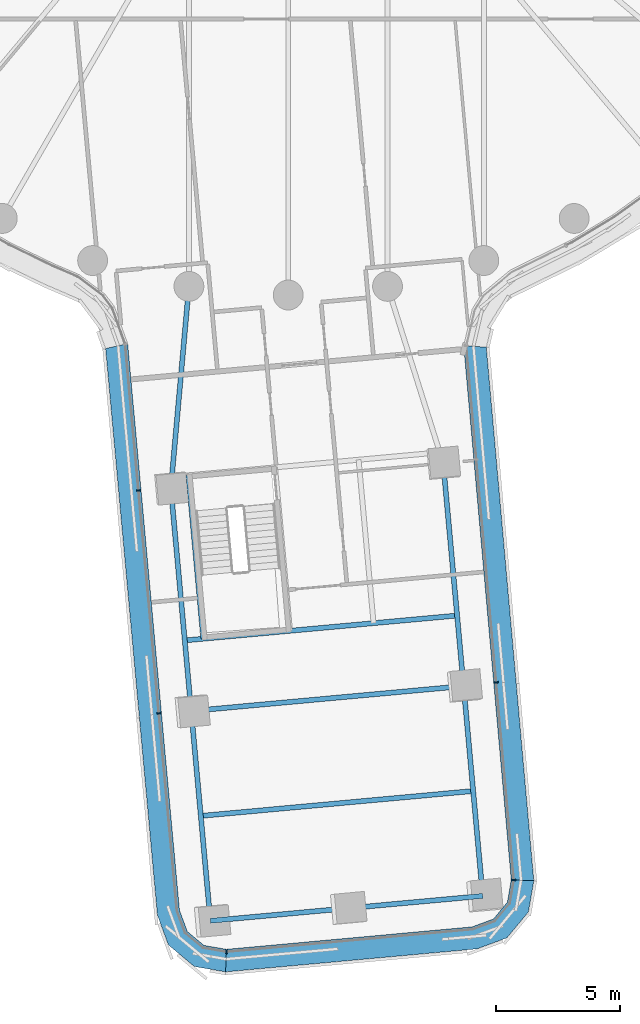
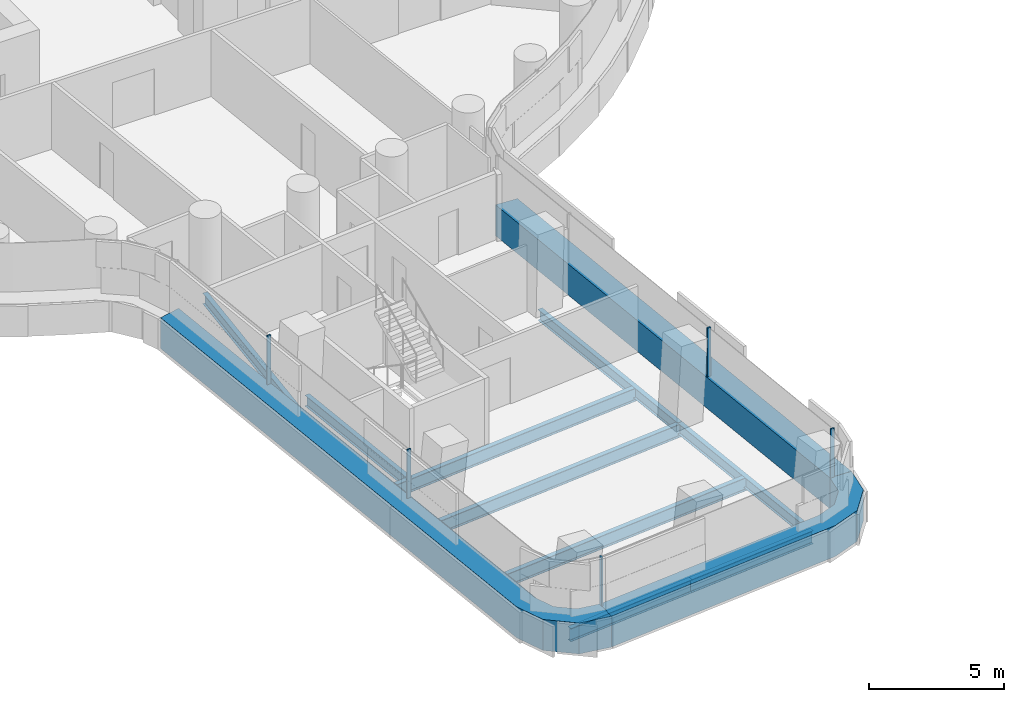
# One storey, part 2 of 31: 11 beams, 8 members, 3 elements without a shape of their own.
"""IFC4 building model written with IfcOpenShell, lengths in metres."""

from ifc_helpers import new_model, si_unit, direction, frame, origin, origin_2d, place, context, subcontext, project, spatial, polyline, rectangle, i_section, outline, extrude, material, layer, layer_set, material_profile, profile_set, type_object, element, aggregate, save


model = new_model("IFC4")

# Units and contexts
model_context = context("Model", 3, precision=1e-05, world=origin(), true_north=direction((0.0, 1.0)))
body_context = subcontext(model_context, "Body", "Model", "MODEL_VIEW")
ifc_project = project(units=[si_unit("LENGTHUNIT", "METRE"), si_unit("AREAUNIT", "SQUARE_METRE"), si_unit("VOLUMEUNIT", "CUBIC_METRE"), si_unit("PLANEANGLEUNIT", "RADIAN"), si_unit("MASSUNIT", "GRAM", prefix="KILO")], contexts=[model_context])

# Site, building, storey
site_placement = place(None, origin())
site = spatial("IfcSite", under=ifc_project, at=site_placement, CompositionType="ELEMENT")
building_placement = place(site_placement, origin())
building = spatial("IfcBuilding", under=site, at=building_placement, Name="Tamarind Cross Interchange Tower", CompositionType="ELEMENT")
storey_placement = place(building_placement, frame((0.0, 0.0, 52.75)))
storey = spatial("IfcBuildingStorey", under=building, at=storey_placement, Name="L11", CompositionType="ELEMENT", Elevation=52.75)

# Beams
ifc_material_1 = material(Name="Steel Q355B", Category="steel")
ifc_material_profile_1 = material_profile(ifc_material_1, i_section(OverallWidth=0.198974609375, OverallDepth=0.49609375, WebThickness=0.009033203125, FlangeThickness=0.013916015625, FilletRadius=0.012939453125, at=origin_2d()), Name="HN 496x199x9x14")
ifc_profile_set_1 = profile_set([ifc_material_profile_1], Name="Steel Q355B")
beam_type_1 = type_object("IfcBeamType", Name="Composite beam HN 496x199x9x14 Q355B", PredefinedType="BEAM", material=ifc_profile_set_1)
beam_1_placement = place(storey_placement, frame((-3.13037109375, -48.16796875, -0.387939453125), z_axis=(-0.091068244839, 0.995844653941, 0.0), x_axis=(-0.995844653941, -0.091068244839, 0.0)))
element("IfcBeam", 1, at=beam_1_placement, inside=storey, type_object=beam_type_1, Name="Beam S-edgeem5", PredefinedType="BEAM", context=body_context, shape_type="SweptSolid", body=[
    extrude(i_section(OverallWidth=0.198974609375, OverallDepth=0.49609375, WebThickness=0.009033203125, FlangeThickness=0.013916015625, FilletRadius=0.012939453125, at=origin_2d()), origin(), (0.0, 0.0, 1.0), 8.47412109375),
])
beam_2_placement = place(storey_placement, frame((-3.902099609375, -39.72900390625, -0.387939453125), z_axis=(-0.091037133423, 0.995847498535, 0.0), x_axis=(-0.995847498535, -0.091037133423, 0.0)))
element("IfcBeam", 2, at=beam_2_placement, inside=storey, type_object=beam_type_1, Name="Beam S-edgeem6", PredefinedType="BEAM", context=body_context, shape_type="SweptSolid", body=[
    extrude(i_section(OverallWidth=0.198974609375, OverallDepth=0.49609375, WebThickness=0.009033203125, FlangeThickness=0.013916015625, FilletRadius=0.012939453125, at=origin_2d()), origin(), (0.0, 0.0, 1.0), 9.0),
])
beam_3_placement = place(storey_placement, frame((7.823974609375, -47.166259765625, -0.387939453125), z_axis=(-0.091068244839, 0.995844653941, 0.0), x_axis=(-0.995844653941, -0.091068244839, 0.0)))
element("IfcBeam", 3, at=beam_3_placement, inside=storey, type_object=beam_type_1, Name="Beam S-edgeep2", PredefinedType="BEAM", context=body_context, shape_type="SweptSolid", body=[
    extrude(i_section(OverallWidth=0.198974609375, OverallDepth=0.49609375, WebThickness=0.009033203125, FlangeThickness=0.013916015625, FilletRadius=0.012939453125, at=origin_2d()), origin(), (0.0, 0.0, 1.0), 8.47412109375),
])
beam_4_placement = place(storey_placement, frame((7.05224609375, -38.727294921875, -0.387939453125), z_axis=(-0.091037133423, 0.995847498535, 0.0), x_axis=(-0.995847498535, -0.091037133423, 0.0)))
element("IfcBeam", 4, at=beam_4_placement, inside=storey, type_object=beam_type_1, Name="Beam S-edgeep3", PredefinedType="BEAM", context=body_context, shape_type="SweptSolid", body=[
    extrude(i_section(OverallWidth=0.198974609375, OverallDepth=0.49609375, WebThickness=0.009033203125, FlangeThickness=0.013916015625, FilletRadius=0.012939453125, at=origin_2d()), origin(), (0.0, 0.0, 1.0), 9.0),
])
beam_5_placement = place(storey_placement, frame((-4.721435546875, -30.766357421875, -0.387939453125), z_axis=(0.089287574347, 0.996005888069, 0.0), x_axis=(-0.996005888069, 0.089287574347, 0.0)))
element("IfcBeam", 5, at=beam_5_placement, inside=storey, type_object=beam_type_1, Name="Beam S-linkem", PredefinedType="BEAM", context=body_context, shape_type="SweptSolid", body=[
    extrude(i_section(OverallWidth=0.198974609375, OverallDepth=0.49609375, WebThickness=0.009033203125, FlangeThickness=0.013916015625, FilletRadius=0.012939453125, at=origin_2d()), origin(), (0.0, 0.0, 1.0), 8.148193359375),
])
beam_6_placement = place(storey_placement, frame((-4.015625, -30.25, -0.387939453125), z_axis=(0.091072713933, -0.99584424524, 0.0), x_axis=(0.99584424524, 0.091072713933, 0.0)))
element("IfcBeam", 6, at=beam_6_placement, inside=storey, type_object=beam_type_1, Name="Beam S-tr0", PredefinedType="BEAM", context=body_context, shape_type="SweptSolid", body=[
    extrude(i_section(OverallWidth=0.198974609375, OverallDepth=0.49609375, WebThickness=0.009033203125, FlangeThickness=0.013916015625, FilletRadius=0.012939453125, at=origin_2d()), origin(), (0.0, 0.0, 1.0), 6.599853515625),
])
ifc_material_profile_2 = material_profile(ifc_material_1, i_section(OverallWidth=0.199951171875, OverallDepth=0.60009765625, WebThickness=0.010986328125, FlangeThickness=0.01708984375, FilletRadius=0.012939453125, at=origin_2d()), Name="HN 600x200x11x17")
ifc_profile_set_2 = profile_set([ifc_material_profile_2], Name="Steel Q355B")
beam_type_2 = type_object("IfcBeamType", Name="Composite beam HN 600x200x11x17 Q355B", PredefinedType="BEAM", material=ifc_profile_set_2)
beam_7_placement = place(storey_placement, frame((-3.13037109375, -48.16796875, -0.43994140625), z_axis=(0.995842841789, 0.09108805881, 0.0), x_axis=(-0.09108805881, 0.995842841789, 0.0)))
element("IfcBeam", 7, at=beam_7_placement, inside=storey, type_object=beam_type_2, Name="Beam S-tip0", PredefinedType="BEAM", context=body_context, shape_type="SweptSolid", body=[
    extrude(i_section(OverallWidth=0.199951171875, OverallDepth=0.60009765625, WebThickness=0.010986328125, FlangeThickness=0.01708984375, FilletRadius=0.012939453125, at=origin_2d()), origin(), (0.0, 0.0, 1.0), 5.5),
])
beam_8_placement = place(storey_placement, frame((2.3466796875, -47.6669921875, -0.43994140625), z_axis=(0.995847235338, 0.091040012466, 0.0), x_axis=(-0.091040012466, 0.995847235338, 0.0)))
element("IfcBeam", 8, at=beam_8_placement, inside=storey, type_object=beam_type_2, Name="Beam S-tip1", PredefinedType="BEAM", context=body_context, shape_type="SweptSolid", body=[
    extrude(i_section(OverallWidth=0.199951171875, OverallDepth=0.60009765625, WebThickness=0.010986328125, FlangeThickness=0.01708984375, FilletRadius=0.012939453125, at=origin_2d()), origin(), (0.0, 0.0, 1.0), 5.500244140625),
])
beam_9_placement = place(storey_placement, frame((-4.161376953125, -36.890869140625, -0.43994140625), z_axis=(0.99584485484, 0.09106604795, 0.0), x_axis=(-0.09106604795, 0.99584485484, 0.0)))
element("IfcBeam", 9, at=beam_9_placement, inside=storey, type_object=beam_type_2, Name="Beam S-x364", PredefinedType="BEAM", context=body_context, shape_type="SweptSolid", body=[
    extrude(i_section(OverallWidth=0.199951171875, OverallDepth=0.60009765625, WebThickness=0.010986328125, FlangeThickness=0.01708984375, FilletRadius=0.012939453125, at=origin_2d()), origin(), (0.0, 0.0, 1.0), 10.999755859375),
])
beam_10_placement = place(storey_placement, frame((-3.902099609375, -39.72900390625, -0.43994140625), z_axis=(0.995845038897, 0.091064035182, 0.0), x_axis=(-0.091064035182, 0.995845038897, 0.0)))
element("IfcBeam", 10, at=beam_10_placement, inside=storey, type_object=beam_type_2, Name="Beam S-x393", PredefinedType="BEAM", context=body_context, shape_type="SweptSolid", body=[
    extrude(i_section(OverallWidth=0.199951171875, OverallDepth=0.60009765625, WebThickness=0.010986328125, FlangeThickness=0.01708984375, FilletRadius=0.012939453125, at=origin_2d()), origin(), (0.0, 0.0, 1.0), 11.0),
])
beam_11_placement = place(storey_placement, frame((-3.51611328125, -43.948486328125, -0.43994140625), z_axis=(0.99584485484, 0.09106604795, 0.0), x_axis=(-0.09106604795, 0.99584485484, 0.0)))
element("IfcBeam", 11, at=beam_11_placement, inside=storey, type_object=beam_type_2, Name="Beam S-x435", PredefinedType="BEAM", context=body_context, shape_type="SweptSolid", body=[
    extrude(i_section(OverallWidth=0.199951171875, OverallDepth=0.60009765625, WebThickness=0.010986328125, FlangeThickness=0.01708984375, FilletRadius=0.012939453125, at=origin_2d()), origin(), (0.0, 0.0, 1.0), 10.999755859375),
])

# Curtain wall, member
ifc_material_2 = material(Name="Aluminium 6063-T6", Category="aluminium")
ifc_layer = layer(ifc_material_2, 0.159912109375)
ifc_layer_set = layer_set([ifc_layer], Name="Aluminium 6063-T6")
curtain_wall_type = type_object("IfcCurtainWallType", Name="Office curtain wall, 9.0 m bays", PredefinedType="NOTDEFINED", material=ifc_layer_set)
curtain_wall_1_placement = place(storey_placement, origin())
curtain_wall_1 = element("IfcCurtainWall", 12, at=curtain_wall_1_placement, inside=storey, type_object=curtain_wall_type, Name="CWS-L11-07", PredefinedType="NOTDEFINED")
ifc_material_3 = material(Name="Aluminium and insulated spandrel panel", Category="aluminium")
member_type_1 = type_object("IfcMemberType", Name="Floor-edge blade transom", PredefinedType="USERDEFINED", material=ifc_material_3)
member_1_placement = place(storey_placement, origin())
member_1 = element("IfcMember", 13, at=member_1_placement, type_object=member_type_1, Name="CWT-L11-07", ObjectType="TRANSOM", PredefinedType="USERDEFINED", context=body_context, shape_type="SweptSolid", body=[
    extrude(outline(polyline([(-6.457763671875, -24.954833984375), (-4.37451171875, -47.73974609375), (-4.05810546875, -48.598876953125), (-3.385986328125, -49.158203125), (-2.48388671875, -49.313720703125), (-2.52001953125, -50.220703125), (-3.7763671875, -50.00439453125), (-4.8193359375, -49.13623046875), (-5.260009765625, -47.939697265625), (-7.34375, -25.150146484375), (-6.457763671875, -24.954833984375)])), origin(), (0.0, 0.0, 1.0), 1.39990234375),
])

curtain_wall_2_placement = place(storey_placement, origin())
curtain_wall_2 = element("IfcCurtainWall", 14, at=curtain_wall_2_placement, inside=storey, type_object=curtain_wall_type, Name="CWS-L11-08", PredefinedType="NOTDEFINED")
member_2_placement = place(storey_placement, origin())
member_2 = element("IfcMember", 15, at=member_2_placement, type_object=member_type_1, Name="CWT-L11-08", ObjectType="TRANSOM", PredefinedType="USERDEFINED", context=body_context, shape_type="SweptSolid", body=[
    extrude(outline(polyline([(-2.48388671875, -49.313720703125), (7.39599609375, -48.410400390625), (8.2548828125, -48.093994140625), (8.814453125, -47.421875), (8.9697265625, -46.51953125), (9.876708984375, -46.556640625), (9.660400390625, -47.812255859375), (8.792236328125, -48.855224609375), (7.595947265625, -49.2958984375), (-2.52001953125, -50.220703125), (-2.48388671875, -49.313720703125)])), origin(), (0.0, 0.0, 1.0), 1.39990234375),
])

curtain_wall_3_placement = place(storey_placement, origin())
curtain_wall_3 = element("IfcCurtainWall", 16, at=curtain_wall_3_placement, inside=storey, type_object=curtain_wall_type, Name="CWS-L11-09", PredefinedType="NOTDEFINED")
member_3_placement = place(storey_placement, origin())
member_3 = element("IfcMember", 17, at=member_3_placement, type_object=member_type_1, Name="CWT-L11-09", ObjectType="TRANSOM", PredefinedType="USERDEFINED", context=body_context, shape_type="SweptSolid", body=[
    extrude(outline(polyline([(8.9697265625, -46.51953125), (7.056640625, -25.03173828125), (7.966064453125, -25.0966796875), (9.876708984375, -46.556640625), (8.9697265625, -46.51953125)])), origin(), (0.0, 0.0, 1.0), 1.39990234375),
])

# Member
ifc_material_profile_3 = material_profile(ifc_material_2, rectangle(XDim=0.06005859375, YDim=0.159912109375, at=origin_2d()), Name="Mullion CW1")
ifc_profile_set_3 = profile_set([ifc_material_profile_3], Name="Aluminium 6063-T6")
member_type_2 = type_object("IfcMemberType", Name="Mullion CW1", PredefinedType="MULLION", material=ifc_profile_set_3)
member_4_placement = place(storey_placement, frame((-6.018310546875, -30.859375, 1.39990234375), z_axis=(0.0, 0.0, 1.0), x_axis=(0.091049727316, -0.995846347162, 0.0)))
member_4 = element("IfcMember", 18, at=member_4_placement, type_object=member_type_2, Name="CWM-L11-07-01", PredefinedType="MULLION", context=body_context, shape_type="SweptSolid", body=[
    extrude(rectangle(XDim=0.06005859375, YDim=0.159912109375, at=origin_2d()), origin(), (0.0, 0.0, 1.0), 2.210205078125),
])

member_5_placement = place(storey_placement, frame((-5.198974609375, -39.8212890625, 1.39990234375), z_axis=(0.0, 0.0, 1.0), x_axis=(0.091049727316, -0.995846347162, 0.0)))
member_5 = element("IfcMember", 19, at=member_5_placement, type_object=member_type_2, Name="CWM-L11-07-02", PredefinedType="MULLION", context=body_context, shape_type="SweptSolid", body=[
    extrude(rectangle(XDim=0.06005859375, YDim=0.159912109375, at=origin_2d()), origin(), (0.0, 0.0, 1.0), 2.210205078125),
])

aggregate(curtain_wall_1, [member_4, member_5, member_1])

member_6_placement = place(storey_placement, frame((-2.488037109375, -49.41455078125, 1.39990234375), z_axis=(0.0, 0.0, 1.0), x_axis=(0.999211117821, -0.039713247455, 0.0)))
member_6 = element("IfcMember", 20, at=member_6_placement, type_object=member_type_2, Name="CWM-L11-08-00", PredefinedType="MULLION", context=body_context, shape_type="SweptSolid", body=[
    extrude(rectangle(XDim=0.06005859375, YDim=0.159912109375, at=origin_2d()), origin(), (0.0, 0.0, 1.0), 2.210205078125),
])

aggregate(curtain_wall_2, [member_6, member_2])

member_7_placement = place(storey_placement, frame((9.070556640625, -46.523681640625, 1.39990234375), z_axis=(0.0, 0.0, 1.0), x_axis=(0.040899780717, 0.999163253897, 0.0)))
member_7 = element("IfcMember", 21, at=member_7_placement, type_object=member_type_2, Name="CWM-L11-09-00", PredefinedType="MULLION", context=body_context, shape_type="SweptSolid", body=[
    extrude(rectangle(XDim=0.06005859375, YDim=0.159912109375, at=origin_2d()), origin(), (0.0, 0.0, 1.0), 2.210205078125),
])

member_8_placement = place(storey_placement, frame((8.36328125, -38.57861328125, 1.39990234375), z_axis=(0.0, 0.0, 1.0), x_axis=(-0.088684340968, 0.996059781171, 0.0)))
member_8 = element("IfcMember", 22, at=member_8_placement, type_object=member_type_2, Name="CWM-L11-09-01", PredefinedType="MULLION", context=body_context, shape_type="SweptSolid", body=[
    extrude(rectangle(XDim=0.06005859375, YDim=0.159912109375, at=origin_2d()), origin(), (0.0, 0.0, 1.0), 2.210205078125),
])

aggregate(curtain_wall_3, [member_7, member_8, member_3])

save(model, "model.ifc")
